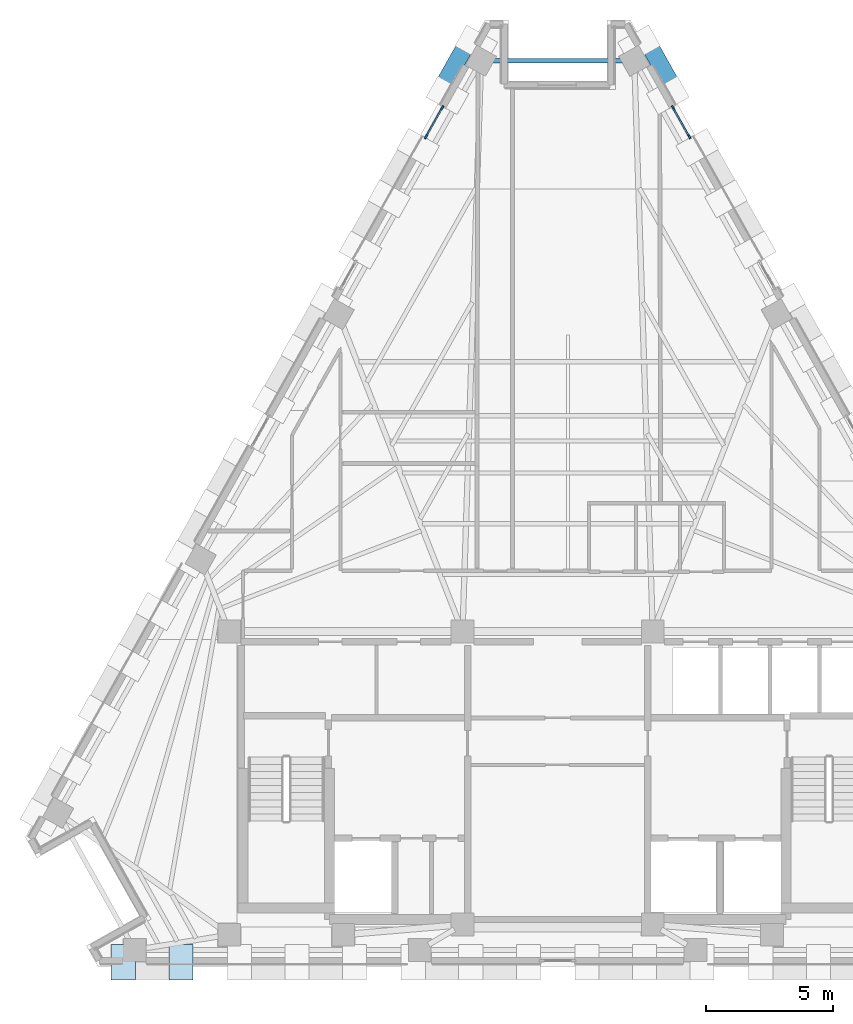
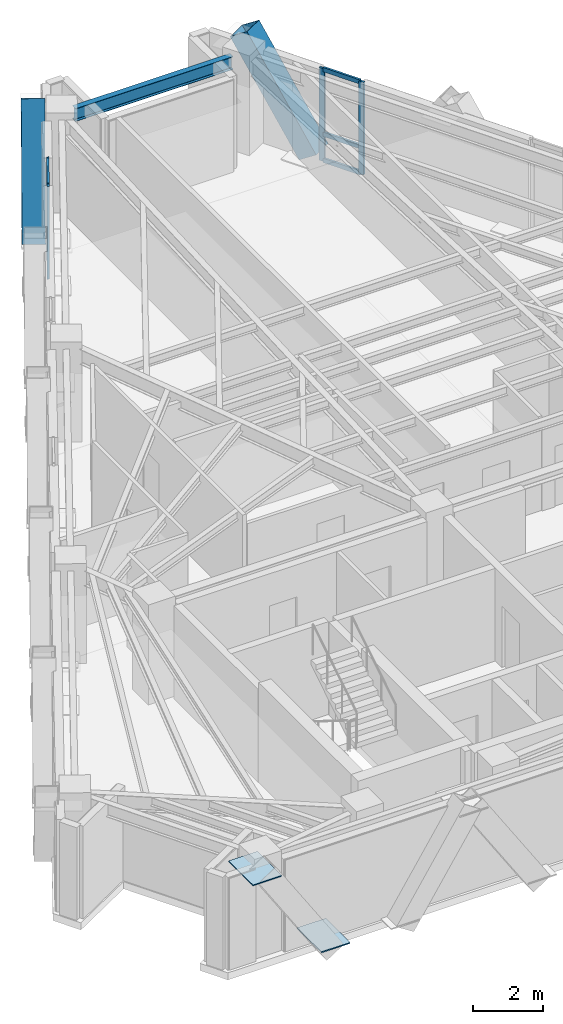
# One storey, part 5 of 12: 12 members, 2 plates, 1 beam, 2 elements without a shape of their own.
"""IFC4 building model written with IfcOpenShell, lengths in metres."""

from ifc_helpers import new_model, si_unit, direction, frame, origin, origin_2d, place, context, subcontext, project, spatial, rectangle, hollow_rectangle, i_section, extrude, material, layer, layer_set, material_profile, profile_set, type_object, element, aggregate, save


model = new_model("IFC4")

# Units and contexts
model_context = context("Model", 3, precision=1e-05, world=origin(), true_north=direction((0.0, 1.0)))
body_context = subcontext(model_context, "Body", "Model", "MODEL_VIEW")
ifc_project = project(units=[si_unit("LENGTHUNIT", "METRE"), si_unit("AREAUNIT", "SQUARE_METRE"), si_unit("VOLUMEUNIT", "CUBIC_METRE"), si_unit("PLANEANGLEUNIT", "RADIAN"), si_unit("MASSUNIT", "GRAM", prefix="KILO")], contexts=[model_context])

# Site, building, storey
site_placement = place(None, origin())
site = spatial("IfcSite", under=ifc_project, at=site_placement, CompositionType="ELEMENT")
building_placement = place(site_placement, origin())
building = spatial("IfcBuilding", under=site, at=building_placement, Name="Quenlor Broadcast Tower", CompositionType="ELEMENT")
storey_placement = place(building_placement, frame((0.0, 0.0, 218.39990234375)))
storey = spatial("IfcBuildingStorey", under=building, at=storey_placement, Name="L60", CompositionType="ELEMENT", Elevation=218.39990234375)

# Curtain wall, members
ifc_material_1 = material(Name="Architectural Terracotta and Low-E Glazing", Category="masonry")
curtain_wall_type = type_object("IfcCurtainWallType", Name="Unitised Terracotta Curtain Wall System Z4", PredefinedType="NOTDEFINED", material=ifc_material_1)
curtain_wall_1_placement = place(storey_placement, origin())
curtain_wall_1 = element("IfcCurtainWall", 1, at=curtain_wall_1_placement, inside=storey, type_object=curtain_wall_type, Name="L60 Curtain Wall CW4 (L60-NEA-G1)", PredefinedType="NOTDEFINED")
ifc_material_2 = material(Name="Aluminium 6063-T6", Category="aluminium")
ifc_material_profile_1 = material_profile(ifc_material_2, rectangle(XDim=0.068115234375, YDim=0.179931640625, at=origin_2d()))
ifc_profile_set_1 = profile_set([ifc_material_profile_1], Name="Aluminium 6063-T6 MULL68x180")
member_type_1 = type_object("IfcMemberType", Name="CW4 Aluminium Mullion MULL_CW4", PredefinedType="MULLION", material=ifc_profile_set_1)
member_1_placement = place(storey_placement, frame((4.550048828125, 15.85205078125, 0.0), z_axis=(0.0, 0.0, 1.0), x_axis=(0.871560008943, 0.490288844266, 0.0)))
member_1 = element("IfcMember", 2, at=member_1_placement, type_object=member_type_1, Name="CW4 mullion 1", PredefinedType="MULLION", context=body_context, shape_type="SweptSolid", body=[
    extrude(rectangle(XDim=0.068115234375, YDim=0.179931640625, at=origin_2d()), origin(), (0.0, 0.0, 1.0), 3.25),
])
member_2_placement = place(storey_placement, frame((5.19140625, 14.7119140625, 0.0), z_axis=(0.0, 0.0, 1.0), x_axis=(0.871560008943, 0.490288844266, 0.0)))
member_2 = element("IfcMember", 3, at=member_2_placement, type_object=member_type_1, Name="CW4 mullion 2", PredefinedType="MULLION", context=body_context, shape_type="SweptSolid", body=[
    extrude(rectangle(XDim=0.068115234375, YDim=0.179931640625, at=origin_2d()), origin(), (0.0, 0.0, 1.0), 3.25),
])

curtain_wall_2_placement = place(storey_placement, origin())
curtain_wall_2 = element("IfcCurtainWall", 4, at=curtain_wall_2_placement, inside=storey, type_object=curtain_wall_type, Name="L60 Curtain Wall CW4 (L60-NWC-G2)", PredefinedType="NOTDEFINED")
member_3_placement = place(storey_placement, frame((-5.19140625, 14.7119140625, 0.0), z_axis=(0.0, 0.0, 1.0), x_axis=(-0.871560008943, 0.490288844266, 0.0)))
member_3 = element("IfcMember", 5, at=member_3_placement, type_object=member_type_1, Name="CW4 mullion 1", PredefinedType="MULLION", context=body_context, shape_type="SweptSolid", body=[
    extrude(rectangle(XDim=0.068115234375, YDim=0.179931640625, at=origin_2d()), origin(), (0.0, 0.0, 1.0), 3.25),
])
member_4_placement = place(storey_placement, frame((-4.550048828125, 15.85205078125, 0.0), z_axis=(0.0, 0.0, 1.0), x_axis=(-0.871560008943, 0.490288844266, 0.0)))
member_4 = element("IfcMember", 6, at=member_4_placement, type_object=member_type_1, Name="CW4 mullion 2", PredefinedType="MULLION", context=body_context, shape_type="SweptSolid", body=[
    extrude(rectangle(XDim=0.068115234375, YDim=0.179931640625, at=origin_2d()), origin(), (0.0, 0.0, 1.0), 3.25),
])

# Member
ifc_material_3 = material(Name="Aluminium 6063-T6", Category="aluminium")
ifc_material_profile_2 = material_profile(ifc_material_3, rectangle(XDim=0.068115234375, YDim=0.14990234375, at=origin_2d()))
ifc_profile_set_2 = profile_set([ifc_material_profile_2], Name="Aluminium 6063-T6 TRAN68x150")
member_type_2 = type_object("IfcMemberType", Name="CW4 Aluminium Transom TRAN_CW4", PredefinedType="USERDEFINED", material=ifc_profile_set_2)
member_5_placement = place(storey_placement, frame((4.566650390625, 15.822265625, 0.0341796875), z_axis=(0.490317332982, -0.871543982239, 0.0), x_axis=(0.871543982239, 0.490317332982, 0.0)))
member_5 = element("IfcMember", 7, at=member_5_placement, type_object=member_type_2, Name="CW4 transom 1.1", ObjectType="TRANSOM", PredefinedType="USERDEFINED", context=body_context, shape_type="SweptSolid", body=[
    extrude(rectangle(XDim=0.068115234375, YDim=0.14990234375, at=origin_2d()), origin(), (0.0, 0.0, 1.0), 1.23974609375),
])

member_6_placement = place(storey_placement, frame((4.566650390625, 15.822265625, 0.9501953125), z_axis=(0.490317332982, -0.871543982239, 0.0), x_axis=(0.871543982239, 0.490317332982, 0.0)))
member_6 = element("IfcMember", 8, at=member_6_placement, type_object=member_type_2, Name="CW4 transom 1.2", ObjectType="TRANSOM", PredefinedType="USERDEFINED", context=body_context, shape_type="SweptSolid", body=[
    extrude(rectangle(XDim=0.068115234375, YDim=0.14990234375, at=origin_2d()), origin(), (0.0, 0.0, 1.0), 1.23974609375),
])

member_7_placement = place(storey_placement, frame((4.566650390625, 15.822265625, 3.216064453125), z_axis=(0.490317332982, -0.871543982239, 0.0), x_axis=(0.871543982239, 0.490317332982, 0.0)))
member_7 = element("IfcMember", 9, at=member_7_placement, type_object=member_type_2, Name="CW4 transom 1.3", ObjectType="TRANSOM", PredefinedType="USERDEFINED", context=body_context, shape_type="SweptSolid", body=[
    extrude(rectangle(XDim=0.068115234375, YDim=0.14990234375, at=origin_2d()), origin(), (0.0, 0.0, 1.0), 1.23974609375),
])

aggregate(curtain_wall_1, [member_1, member_2, member_5, member_6, member_7])

member_8_placement = place(storey_placement, frame((-5.174560546875, 14.74169921875, 0.0341796875), z_axis=(0.490317332982, 0.871543982239, 0.0), x_axis=(-0.871543982239, 0.490317332982, 0.0)))
member_8 = element("IfcMember", 10, at=member_8_placement, type_object=member_type_2, Name="CW4 transom 1.1", ObjectType="TRANSOM", PredefinedType="USERDEFINED", context=body_context, shape_type="SweptSolid", body=[
    extrude(rectangle(XDim=0.068115234375, YDim=0.14990234375, at=origin_2d()), origin(), (0.0, 0.0, 1.0), 1.23974609375),
])

member_9_placement = place(storey_placement, frame((-5.174560546875, 14.74169921875, 0.9501953125), z_axis=(0.490317332982, 0.871543982239, 0.0), x_axis=(-0.871543982239, 0.490317332982, 0.0)))
member_9 = element("IfcMember", 11, at=member_9_placement, type_object=member_type_2, Name="CW4 transom 1.2", ObjectType="TRANSOM", PredefinedType="USERDEFINED", context=body_context, shape_type="SweptSolid", body=[
    extrude(rectangle(XDim=0.068115234375, YDim=0.14990234375, at=origin_2d()), origin(), (0.0, 0.0, 1.0), 1.23974609375),
])

member_10_placement = place(storey_placement, frame((-5.174560546875, 14.74169921875, 3.216064453125), z_axis=(0.490317332982, 0.871543982239, 0.0), x_axis=(-0.871543982239, 0.490317332982, 0.0)))
member_10 = element("IfcMember", 12, at=member_10_placement, type_object=member_type_2, Name="CW4 transom 1.3", ObjectType="TRANSOM", PredefinedType="USERDEFINED", context=body_context, shape_type="SweptSolid", body=[
    extrude(rectangle(XDim=0.068115234375, YDim=0.14990234375, at=origin_2d()), origin(), (0.0, 0.0, 1.0), 1.23974609375),
])

aggregate(curtain_wall_2, [member_3, member_4, member_8, member_9, member_10])

# Members
ifc_material_4 = material(Name="Steel S355", Category="steel")
ifc_material_profile_3 = material_profile(ifc_material_4, hollow_rectangle(XDim=0.679931640625, YDim=0.679931640625, WallThickness=0.02490234375, at=origin_2d()))
ifc_profile_set_3 = profile_set([ifc_material_profile_3], Name="Steel S355 RHS680x680x25")
member_type_3 = type_object("IfcMemberType", Name="Perimeter Diagonal Lattice Brace Z3-Z4 Steel S355 RHS680x25", PredefinedType="BRACE", material=ifc_profile_set_3)
for number, where, z_axis, x_axis, name in (
    (13, (4.63671875, 16.50390625, -0.119873046875), (-0.269539530269, 0.479181387144, 0.835304519224), (-0.871575537125, -0.490261239633, 0.0), "L60 Perimeter Diamond Lattice NE-C1B"),
    (14, (-4.63671875, 16.50390625, -0.119873046875), (0.269539530269, 0.479181387144, 0.835304519224), (-0.871575537125, 0.490261239633, 0.0), "L60 Perimeter Diamond Lattice NW-C5S"),
):
    element("IfcMember", number, at=place(storey_placement, frame(where, z_axis=z_axis, x_axis=x_axis)), inside=storey, type_object=member_type_3, Name=name, PredefinedType="BRACE", context=body_context, shape_type="SweptSolid", body=[
        extrude(hollow_rectangle(XDim=0.679931640625, YDim=0.679931640625, WallThickness=0.02490234375, at=origin_2d()), origin(), (0.0, 0.0, 1.0), 4.190185546875),
    ])

# Beam
ifc_material_5 = material(Name="Steel S355", Category="steel")
ifc_material_profile_4 = material_profile(ifc_material_5, i_section(OverallWidth=0.18994140625, OverallDepth=0.453857421875, WebThickness=0.008544921875, FlangeThickness=0.0126953125, FilletRadius=0.011474609375, at=origin_2d()))
ifc_profile_set_4 = profile_set([ifc_material_profile_4], Name="Steel S355 460UB67.1")
beam_type = type_object("IfcBeamType", Name="Perimeter Spandrel Beam Z4 Steel S355 460UB67.1", PredefinedType="SPANDREL", material=ifc_profile_set_4)
beam_placement = place(storey_placement, frame((2.610595703125, 17.704345703125, 3.023193359375), z_axis=(-1.0, 0.0, 0.0), x_axis=(0.0, -1.0, 0.0)))
element("IfcBeam", 15, at=beam_placement, inside=storey, type_object=beam_type, Name="L60 Spandrel Beam NE4-NW1", PredefinedType="SPANDREL", context=body_context, shape_type="SweptSolid", body=[
    extrude(i_section(OverallWidth=0.18994140625, OverallDepth=0.453857421875, WebThickness=0.008544921875, FlangeThickness=0.0126953125, FilletRadius=0.011474609375, at=origin_2d()), origin(), (0.0, 0.0, 1.0), 5.22119140625),
])

# Plates
ifc_material_6 = material(Name="Steel S355", Category="steel")
ifc_layer = layer(ifc_material_6, 0.035888671875)
ifc_layer_set = layer_set([ifc_layer], Name="Transfer Truss Steel S355 Gusset Node Plate 1400x950x36")
plate_type = type_object("IfcPlateType", Name="Transfer Truss Steel S355 Gusset Node Plate 1400x950x36", PredefinedType="SHEET", material=ifc_layer_set)
for number, where, z_axis, x_axis, name in (
    (16, (-14.856201171875, -17.8349609375, 0.0419921875), (0.0, 0.0, 1.0), (0.0, -1.0, 0.0), "L60 Lattice Tie Gusset Node S-B14"),
    (17, (-17.1259765625, -17.8349609375, 3.18212890625), (0.0, 0.0, 1.0), (0.0, -1.0, 0.0), "L60 Lattice Tie Gusset Node S-T15"),
):
    element("IfcPlate", number, at=place(storey_placement, frame(where, z_axis=z_axis, x_axis=x_axis)), inside=storey, type_object=plate_type, Name=name, PredefinedType="SHEET", context=body_context, shape_type="SweptSolid", body=[
        extrude(rectangle(XDim=1.39990234375, YDim=0.949951171875, at=origin_2d()), origin(), (0.0, 0.0, 1.0), 0.035888671875),
    ])

save(model, "model.ifc")
